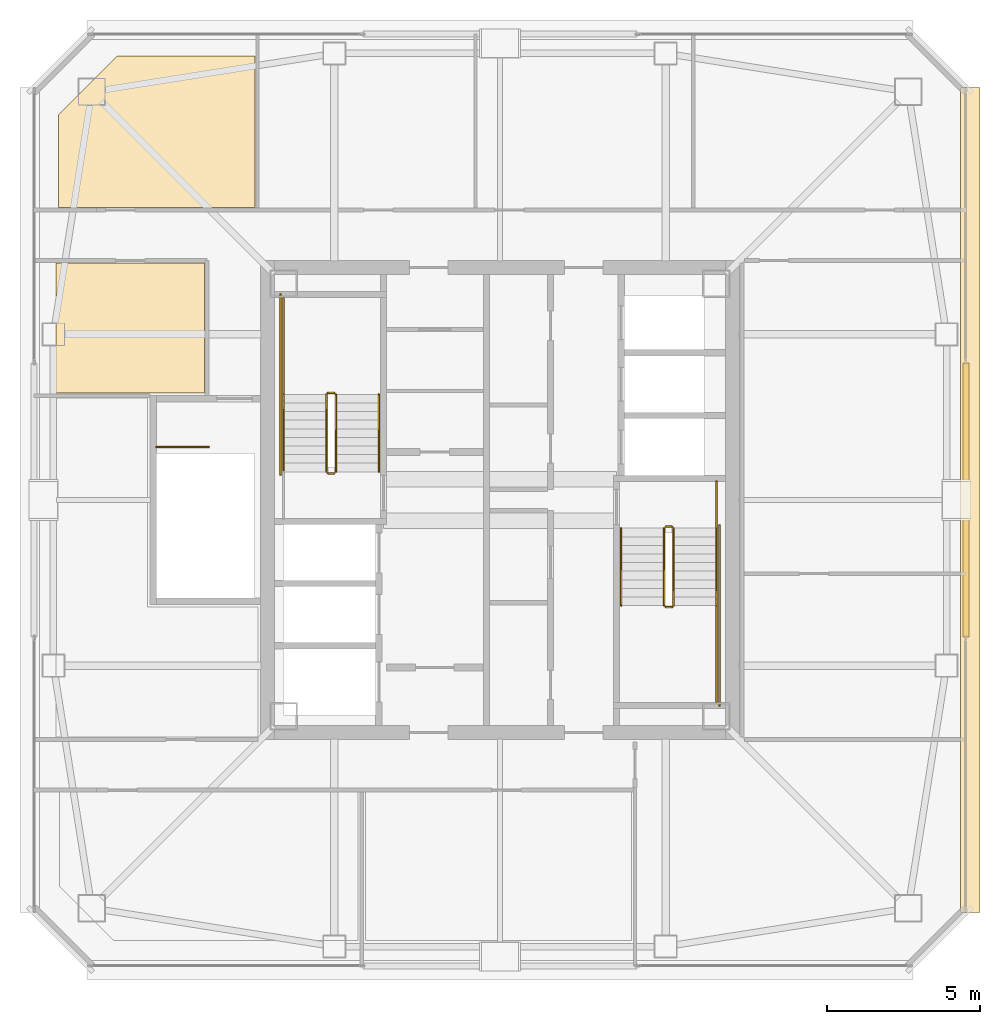
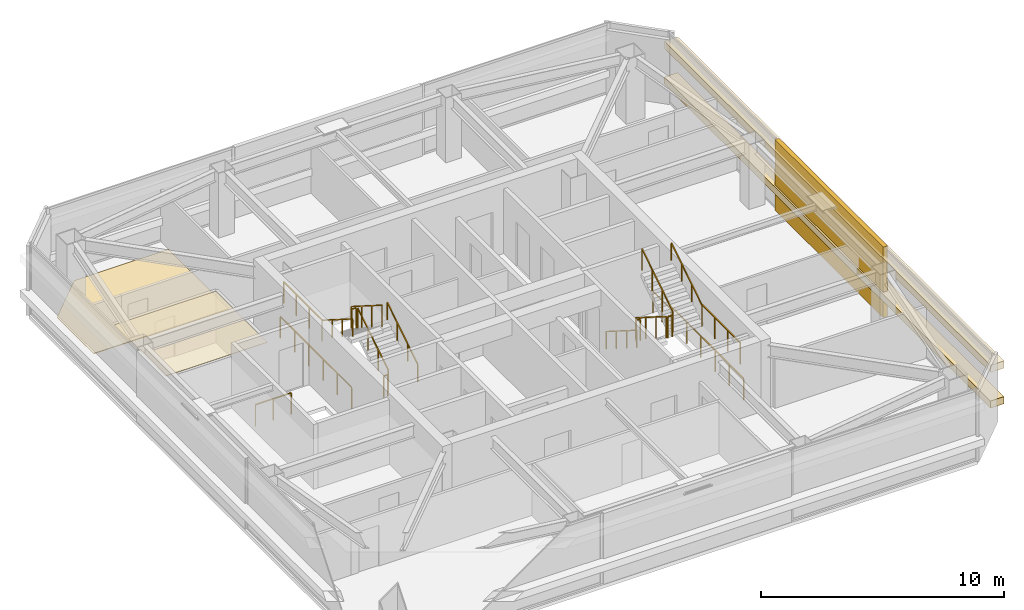
# One storey, part 17 of 18: 18 railings, 5 coverings.
"""IFC4 building model written with IfcOpenShell, lengths in metres."""

from ifc_helpers import new_model, si_unit, direction, frame, origin, origin_2d, place, context, subcontext, project, spatial, polyline, rectangle, outline, extrude, material, layer, layer_set, type_object, element, save


model = new_model("IFC4")

# Units and contexts
model_context = context("Model", 3, precision=1e-05, world=origin(), true_north=direction((0.0, 1.0)))
body_context = subcontext(model_context, "Body", "Model", "MODEL_VIEW")
ifc_project = project(units=[si_unit("LENGTHUNIT", "METRE"), si_unit("AREAUNIT", "SQUARE_METRE"), si_unit("VOLUMEUNIT", "CUBIC_METRE"), si_unit("PLANEANGLEUNIT", "RADIAN"), si_unit("MASSUNIT", "GRAM", prefix="KILO")], contexts=[model_context])

# Site, building, storey
site_placement = place(None, origin())
site = spatial("IfcSite", under=ifc_project, at=site_placement, CompositionType="ELEMENT")
building_placement = place(site_placement, origin())
building = spatial("IfcBuilding", under=site, at=building_placement, Name="Tashvorn Skyway Center", CompositionType="ELEMENT")
storey_placement = place(building_placement, frame((0.0, 0.0, 274.050048828125)))
storey = spatial("IfcBuildingStorey", under=building, at=storey_placement, Name="L74", CompositionType="ELEMENT", Elevation=274.050048828125)

# Coverings
ifc_material_1 = material(Name="Precast concrete C40/50", Category="concrete")
ifc_layer_1 = layer(ifc_material_1, 0.199951171875)
ifc_layer_set_1 = layer_set([ifc_layer_1], Name="Precast concrete C40/50")
covering_type_1 = type_object("IfcCoveringType", Name="COV-BRACE-CLAD", PredefinedType="CLADDING", material=ifc_layer_set_1)
covering_1_placement = place(storey_placement, frame((57.179931640625, 32.0, 0.0), z_axis=(0.0, 0.0, 1.0), x_axis=(0.0, -1.0, 0.0)))
element("IfcCovering", 1, at=covering_1_placement, inside=storey, type_object=covering_type_1, Name="Tower 1 L74 East Unitised Curtain Wall Mega-Brace Cladding Band 1", PredefinedType="CLADDING", context=body_context, shape_type="SweptSolid", body=[
    extrude(rectangle(XDim=8.919921875, YDim=0.199951171875, at=origin_2d()), origin(), (0.0, 0.0, 1.0), 3.550048828125),
])
ifc_material_2 = material(Name="Mineral-fibre acoustic ceiling tile on suspended grid")
ifc_layer_2 = layer(ifc_material_2, 0.02001953125)
ifc_layer_set_2 = layer_set([ifc_layer_2], Name="Mineral-fibre acoustic ceiling tile on suspended grid")
covering_type_2 = type_object("IfcCoveringType", Name="COV-CEIL-20", PredefinedType="CEILING", material=ifc_layer_set_2)
covering_2_placement = place(storey_placement, frame((0.0, 0.0, 2.5830078125)))
element("IfcCovering", 2, at=covering_2_placement, inside=storey, type_object=covering_type_2, Name="Tower 1 L74 Collaborative Studio Acoustic Ceiling", PredefinedType="CEILING", context=body_context, shape_type="SweptSolid", body=[
    extrude(outline(polyline([(32.3701171875, 39.719970703125), (32.3701171875, 35.47998046875), (27.530029296875, 35.47998046875), (27.530029296875, 39.719970703125), (32.3701171875, 39.719970703125)])), origin(), (0.0, 0.0, 1.0), 0.02001953125),
])
ifc_material_3 = material(Name="Polished Mojave desert-aggregate terrazzo and cover plate")
ifc_layer_3 = layer(ifc_material_3, 0.0400390625)
ifc_layer_set_3 = layer_set([ifc_layer_3], Name="Polished Mojave desert-aggregate terrazzo and cover plate")
covering_type_3 = type_object("IfcCoveringType", Name="COV-FLR-40", PredefinedType="FLOORING", material=ifc_layer_set_3)
covering_3_placement = place(storey_placement, origin())
element("IfcCovering", 3, at=covering_3_placement, inside=storey, type_object=covering_type_3, Name="Tower 1 L74 Gallery Showroom Finish Flooring", PredefinedType="FLOORING", context=body_context, shape_type="SweptSolid", body=[
    extrude(outline(polyline([(34.02001953125, 41.530029296875), (27.610107421875, 41.530029296875), (27.610107421875, 44.550048828125), (29.530029296875, 46.469970703125), (34.02001953125, 46.469970703125), (34.02001953125, 41.530029296875)])), origin(), (0.0, 0.0, 1.0), 0.0400390625),
])
ifc_material_4 = material(Name="Perforated ceramic-coated bronze aluminium solar screen", Category="aluminium")
ifc_layer_4 = layer(ifc_material_4, 0.85009765625)
ifc_layer_set_4 = layer_set([ifc_layer_4], Name="Perforated ceramic-coated bronze aluminium solar screen")
covering_type_4 = type_object("IfcCoveringType", Name="COV-SOLAR-BAND", PredefinedType="CLADDING", material=ifc_layer_set_4)
for number, where, z_axis, x_axis, name in (
    (4, (57.320068359375, 32.0, 0.919921875), (0.0, 0.0, 1.0), (0.0, -1.0, 0.0), "L74 Perforated Ceramic-Metal Solar Screen Louvre Band East 1"),
    (5, (57.320068359375, 32.0, 2.7197265625), (0.0, 0.0, 1.0), (0.0, -1.0, 0.0), "L74 Perforated Ceramic-Metal Solar Screen Louvre Band East 2"),
):
    element("IfcCovering", number, at=place(storey_placement, frame(where, z_axis=z_axis, x_axis=x_axis)), inside=storey, type_object=covering_type_4, Name=name, PredefinedType="CLADDING", context=body_context, shape_type="SweptSolid", body=[
        extrude(rectangle(XDim=26.8798828125, YDim=0.639892578125, at=origin_2d()), origin(), (0.0, 0.0, 1.0), 0.360107421875),
    ])

# Railings
ifc_material_5 = material(Name="Brushed stainless steel 316", Category="steel")
railing_type_1 = type_object("IfcRailingType", Name="RAIL-HAND-920", PredefinedType="HANDRAIL", material=ifc_material_5)
railing_1_placement = place(storey_placement, frame((38.050048828125, 32.919921875, 0.177490234375)))
element("IfcRailing", 6, at=railing_1_placement, inside=storey, type_object=railing_type_1, Name="L74 ST-T1-1 stair handrail 1", PredefinedType="HANDRAIL", context=body_context, shape_type="SweptSolid", body=[
    extrude(rectangle(XDim=0.048095703125, YDim=0.048095703125, at=origin_2d()), frame((0.0, 0.0, 0.8759765625), z_axis=(0.0, 0.84460694969, 0.535386869969), x_axis=(-1.0, 0.0, 0.0)), (0.0, 0.0, 1.0), 2.983642578125),
    extrude(rectangle(XDim=0.0419921875, YDim=0.0419921875, at=origin_2d()), origin(), (0.0, 0.0, 1.0), 0.851806640625),
    extrude(rectangle(XDim=0.0419921875, YDim=0.0419921875, at=origin_2d()), frame((0.0, 0.840087890625, 0.532470703125)), (0.0, 0.0, 1.0), 0.851806640625),
    extrude(rectangle(XDim=0.0419921875, YDim=0.0419921875, at=origin_2d()), frame((0.0, 1.679931640625, 1.06494140625)), (0.0, 0.0, 1.0), 0.851806640625),
    extrude(rectangle(XDim=0.0419921875, YDim=0.0419921875, at=origin_2d()), frame((0.0, 2.52001953125, 1.597412109375)), (0.0, 0.0, 1.0), 0.851806640625),
])
railing_2_placement = place(storey_placement, frame((34.949951171875, 35.43994140625, 1.952392578125)))
element("IfcRailing", 7, at=railing_2_placement, inside=storey, type_object=railing_type_1, Name="L74 ST-T1-1 stair handrail 2", PredefinedType="HANDRAIL", context=body_context, shape_type="SweptSolid", body=[
    extrude(rectangle(XDim=0.048095703125, YDim=0.048095703125, at=origin_2d()), frame((0.0, 0.0, 0.8759765625), z_axis=(0.0, -0.84456994832, 0.535445237532), x_axis=(1.0, 0.0, 0.0)), (0.0, 0.0, 1.0), 2.98388671875),
    extrude(rectangle(XDim=0.0419921875, YDim=0.0419921875, at=origin_2d()), origin(), (0.0, 0.0, 1.0), 0.851806640625),
    extrude(rectangle(XDim=0.0419921875, YDim=0.0419921875, at=origin_2d()), frame((0.0, -0.840087890625, 0.532470703125)), (0.0, 0.0, 1.0), 0.851806640625),
    extrude(rectangle(XDim=0.0419921875, YDim=0.0419921875, at=origin_2d()), frame((0.0, -1.679931640625, 1.065185546875)), (0.0, 0.0, 1.0), 0.851806640625),
    extrude(rectangle(XDim=0.0419921875, YDim=0.0419921875, at=origin_2d()), frame((0.0, -2.52001953125, 1.59765625)), (0.0, 0.0, 1.0), 0.851806640625),
])
railing_3_placement = place(storey_placement, frame((45.949951171875, 31.080078125, 0.177490234375)))
element("IfcRailing", 8, at=railing_3_placement, inside=storey, type_object=railing_type_1, Name="L74 ST-T1-2 stair handrail 1", PredefinedType="HANDRAIL", context=body_context, shape_type="SweptSolid", body=[
    extrude(rectangle(XDim=0.048095703125, YDim=0.048095703125, at=origin_2d()), frame((0.0, 0.0, 0.8759765625), z_axis=(0.0, -0.84460694969, 0.535386869969), x_axis=(1.0, 0.0, 0.0)), (0.0, 0.0, 1.0), 2.983642578125),
    extrude(rectangle(XDim=0.0419921875, YDim=0.0419921875, at=origin_2d()), origin(), (0.0, 0.0, 1.0), 0.851806640625),
    extrude(rectangle(XDim=0.0419921875, YDim=0.0419921875, at=origin_2d()), frame((0.0, -0.840087890625, 0.532470703125)), (0.0, 0.0, 1.0), 0.851806640625),
    extrude(rectangle(XDim=0.0419921875, YDim=0.0419921875, at=origin_2d()), frame((0.0, -1.679931640625, 1.06494140625)), (0.0, 0.0, 1.0), 0.851806640625),
    extrude(rectangle(XDim=0.0419921875, YDim=0.0419921875, at=origin_2d()), frame((0.0, -2.52001953125, 1.597412109375)), (0.0, 0.0, 1.0), 0.851806640625),
])
railing_4_placement = place(storey_placement, frame((49.050048828125, 28.56005859375, 1.952392578125)))
element("IfcRailing", 9, at=railing_4_placement, inside=storey, type_object=railing_type_1, Name="L74 ST-T1-2 stair handrail 2", PredefinedType="HANDRAIL", context=body_context, shape_type="SweptSolid", body=[
    extrude(rectangle(XDim=0.048095703125, YDim=0.048095703125, at=origin_2d()), frame((0.0, 0.0, 0.8759765625), z_axis=(0.0, 0.84456994832, 0.535445237532), x_axis=(-1.0, 0.0, 0.0)), (0.0, 0.0, 1.0), 2.98388671875),
    extrude(rectangle(XDim=0.0419921875, YDim=0.0419921875, at=origin_2d()), origin(), (0.0, 0.0, 1.0), 0.851806640625),
    extrude(rectangle(XDim=0.0419921875, YDim=0.0419921875, at=origin_2d()), frame((0.0, 0.840087890625, 0.532470703125)), (0.0, 0.0, 1.0), 0.851806640625),
    extrude(rectangle(XDim=0.0419921875, YDim=0.0419921875, at=origin_2d()), frame((0.0, 1.679931640625, 1.065185546875)), (0.0, 0.0, 1.0), 0.851806640625),
    extrude(rectangle(XDim=0.0419921875, YDim=0.0419921875, at=origin_2d()), frame((0.0, 2.52001953125, 1.59765625)), (0.0, 0.0, 1.0), 0.851806640625),
])
ifc_material_6 = material(Name="Painted galvanized steel S355", Category="steel")
railing_type_2 = type_object("IfcRailingType", Name="RAIL-STGUARD-1100", PredefinedType="GUARDRAIL", material=ifc_material_6)
railing_5_placement = place(storey_placement, frame((36.64990234375, 32.919921875, 0.177490234375)))
element("IfcRailing", 10, at=railing_5_placement, inside=storey, type_object=railing_type_2, Name="L74 ST-T1-1 stair guard 1", PredefinedType="GUARDRAIL", context=body_context, shape_type="SweptSolid", body=[
    extrude(rectangle(XDim=0.048095703125, YDim=0.048095703125, at=origin_2d()), frame((0.0, 0.0, 1.076171875), z_axis=(0.0, 0.84460694969, 0.535386869969), x_axis=(-1.0, 0.0, 0.0)), (0.0, 0.0, 1.0), 2.983642578125),
    extrude(rectangle(XDim=0.0419921875, YDim=0.0419921875, at=origin_2d()), origin(), (0.0, 0.0, 1.0), 1.052001953125),
    extrude(rectangle(XDim=0.0419921875, YDim=0.0419921875, at=origin_2d()), frame((0.0, 0.840087890625, 0.532470703125)), (0.0, 0.0, 1.0), 1.052001953125),
    extrude(rectangle(XDim=0.0419921875, YDim=0.0419921875, at=origin_2d()), frame((0.0, 1.679931640625, 1.06494140625)), (0.0, 0.0, 1.0), 1.052001953125),
    extrude(rectangle(XDim=0.0419921875, YDim=0.0419921875, at=origin_2d()), frame((0.0, 2.52001953125, 1.597412109375)), (0.0, 0.0, 1.0), 1.052001953125),
])
railing_6_placement = place(storey_placement, frame((36.60009765625, 35.489990234375, 1.77490234375)))
element("IfcRailing", 11, at=railing_6_placement, inside=storey, type_object=railing_type_2, Name="L74 ST-T1-1 stair guard 2", PredefinedType="GUARDRAIL", context=body_context, shape_type="SweptSolid", body=[
    extrude(rectangle(XDim=0.048095703125, YDim=0.048095703125, at=origin_2d()), frame((0.0, 0.0, 1.076171875), z_axis=(-1.0, 0.0, 0.0), x_axis=(0.0, -1.0, 0.0)), (0.0, 0.0, 1.0), 0.2001953125),
    extrude(rectangle(XDim=0.0419921875, YDim=0.0419921875, at=origin_2d()), origin(), (0.0, 0.0, 1.0), 1.052001953125),
    extrude(rectangle(XDim=0.0419921875, YDim=0.0419921875, at=origin_2d()), frame((-0.2001953125, 0.0, 0.0)), (0.0, 0.0, 1.0), 1.052001953125),
])
railing_7_placement = place(storey_placement, frame((34.949951171875, 35.43994140625, 1.77490234375)))
element("IfcRailing", 12, at=railing_7_placement, inside=storey, type_object=railing_type_2, Name="L74 ST-T1-1 stair guard 3", PredefinedType="GUARDRAIL", context=body_context, shape_type="SweptSolid", body=[
    extrude(rectangle(XDim=0.048095703125, YDim=0.048095703125, at=origin_2d()), frame((0.0, 0.0, 1.076171875), z_axis=(0.0, 1.0, 0.0), x_axis=(-1.0, 0.0, 0.0)), (0.0, 0.0, 1.0), 3.16015625),
    extrude(rectangle(XDim=0.0419921875, YDim=0.0419921875, at=origin_2d()), origin(), (0.0, 0.0, 1.0), 1.052001953125),
    extrude(rectangle(XDim=0.0419921875, YDim=0.0419921875, at=origin_2d()), frame((0.0, 1.053466796875, 0.0)), (0.0, 0.0, 1.0), 1.052001953125),
    extrude(rectangle(XDim=0.0419921875, YDim=0.0419921875, at=origin_2d()), frame((0.0, 2.106689453125, 0.0)), (0.0, 0.0, 1.0), 1.052001953125),
    extrude(rectangle(XDim=0.0419921875, YDim=0.0419921875, at=origin_2d()), frame((0.0, 3.16015625, 0.0)), (0.0, 0.0, 1.0), 1.052001953125),
])
railing_8_placement = place(storey_placement, frame((36.35009765625, 35.43994140625, 1.952392578125)))
element("IfcRailing", 13, at=railing_8_placement, inside=storey, type_object=railing_type_2, Name="L74 ST-T1-1 stair guard 4", PredefinedType="GUARDRAIL", context=body_context, shape_type="SweptSolid", body=[
    extrude(rectangle(XDim=0.048095703125, YDim=0.048095703125, at=origin_2d()), frame((0.0, 0.0, 1.076171875), z_axis=(0.0, -0.84456994832, 0.535445237532), x_axis=(1.0, 0.0, 0.0)), (0.0, 0.0, 1.0), 2.98388671875),
    extrude(rectangle(XDim=0.0419921875, YDim=0.0419921875, at=origin_2d()), origin(), (0.0, 0.0, 1.0), 1.052001953125),
    extrude(rectangle(XDim=0.0419921875, YDim=0.0419921875, at=origin_2d()), frame((0.0, -0.840087890625, 0.532470703125)), (0.0, 0.0, 1.0), 1.052001953125),
    extrude(rectangle(XDim=0.0419921875, YDim=0.0419921875, at=origin_2d()), frame((0.0, -1.679931640625, 1.065185546875)), (0.0, 0.0, 1.0), 1.052001953125),
    extrude(rectangle(XDim=0.0419921875, YDim=0.0419921875, at=origin_2d()), frame((0.0, -2.52001953125, 1.59765625)), (0.0, 0.0, 1.0), 1.052001953125),
])
railing_9_placement = place(storey_placement, frame((36.60009765625, 32.8701171875, 0.0)))
element("IfcRailing", 14, at=railing_9_placement, inside=storey, type_object=railing_type_2, Name="L74 ST-T1-1 stair guard 5", PredefinedType="GUARDRAIL", context=body_context, shape_type="SweptSolid", body=[
    extrude(rectangle(XDim=0.048095703125, YDim=0.048095703125, at=origin_2d()), frame((0.0, 0.0, 1.076171875), z_axis=(-1.0, 0.0, 0.0), x_axis=(0.0, -1.0, 0.0)), (0.0, 0.0, 1.0), 0.2001953125),
    extrude(rectangle(XDim=0.0419921875, YDim=0.0419921875, at=origin_2d()), origin(), (0.0, 0.0, 1.0), 1.052001953125),
    extrude(rectangle(XDim=0.0419921875, YDim=0.0419921875, at=origin_2d()), frame((-0.2001953125, 0.0, 0.0)), (0.0, 0.0, 1.0), 1.052001953125),
])
railing_10_placement = place(storey_placement, frame((34.85009765625, 32.820068359375, 0.0)))
element("IfcRailing", 15, at=railing_10_placement, inside=storey, type_object=railing_type_2, Name="L74 ST-T1-1 stair guard 7", PredefinedType="GUARDRAIL", context=body_context, shape_type="SweptSolid", body=[
    extrude(rectangle(XDim=0.048095703125, YDim=0.048095703125, at=origin_2d()), frame((0.0, 0.0, 1.076171875), z_axis=(0.0, 1.0, 0.0), x_axis=(-1.0, 0.0, 0.0)), (0.0, 0.0, 1.0), 5.8798828125),
    extrude(rectangle(XDim=0.0419921875, YDim=0.0419921875, at=origin_2d()), origin(), (0.0, 0.0, 1.0), 1.052001953125),
    extrude(rectangle(XDim=0.0419921875, YDim=0.0419921875, at=origin_2d()), frame((0.0, 1.176025390625, 0.0)), (0.0, 0.0, 1.0), 1.052001953125),
    extrude(rectangle(XDim=0.0419921875, YDim=0.0419921875, at=origin_2d()), frame((0.0, 2.35205078125, 0.0)), (0.0, 0.0, 1.0), 1.052001953125),
    extrude(rectangle(XDim=0.0419921875, YDim=0.0419921875, at=origin_2d()), frame((0.0, 3.52783203125, 0.0)), (0.0, 0.0, 1.0), 1.052001953125),
    extrude(rectangle(XDim=0.0419921875, YDim=0.0419921875, at=origin_2d()), frame((0.0, 4.703857421875, 0.0)), (0.0, 0.0, 1.0), 1.052001953125),
    extrude(rectangle(XDim=0.0419921875, YDim=0.0419921875, at=origin_2d()), frame((0.0, 5.8798828125, 0.0)), (0.0, 0.0, 1.0), 1.052001953125),
])
railing_11_placement = place(storey_placement, frame((47.35009765625, 31.080078125, 0.177490234375)))
element("IfcRailing", 16, at=railing_11_placement, inside=storey, type_object=railing_type_2, Name="L74 ST-T1-2 stair guard 1", PredefinedType="GUARDRAIL", context=body_context, shape_type="SweptSolid", body=[
    extrude(rectangle(XDim=0.048095703125, YDim=0.048095703125, at=origin_2d()), frame((0.0, 0.0, 1.076171875), z_axis=(0.0, -0.84460694969, 0.535386869969), x_axis=(1.0, 0.0, 0.0)), (0.0, 0.0, 1.0), 2.983642578125),
    extrude(rectangle(XDim=0.0419921875, YDim=0.0419921875, at=origin_2d()), origin(), (0.0, 0.0, 1.0), 1.052001953125),
    extrude(rectangle(XDim=0.0419921875, YDim=0.0419921875, at=origin_2d()), frame((0.0, -0.840087890625, 0.532470703125)), (0.0, 0.0, 1.0), 1.052001953125),
    extrude(rectangle(XDim=0.0419921875, YDim=0.0419921875, at=origin_2d()), frame((0.0, -1.679931640625, 1.06494140625)), (0.0, 0.0, 1.0), 1.052001953125),
    extrude(rectangle(XDim=0.0419921875, YDim=0.0419921875, at=origin_2d()), frame((0.0, -2.52001953125, 1.597412109375)), (0.0, 0.0, 1.0), 1.052001953125),
])
railing_12_placement = place(storey_placement, frame((47.39990234375, 28.510009765625, 1.77490234375)))
element("IfcRailing", 17, at=railing_12_placement, inside=storey, type_object=railing_type_2, Name="L74 ST-T1-2 stair guard 2", PredefinedType="GUARDRAIL", context=body_context, shape_type="SweptSolid", body=[
    extrude(rectangle(XDim=0.048095703125, YDim=0.048095703125, at=origin_2d()), frame((0.0, 0.0, 1.076171875), z_axis=(1.0, 0.0, 0.0), x_axis=(0.0, 1.0, 0.0)), (0.0, 0.0, 1.0), 0.2001953125),
    extrude(rectangle(XDim=0.0419921875, YDim=0.0419921875, at=origin_2d()), origin(), (0.0, 0.0, 1.0), 1.052001953125),
    extrude(rectangle(XDim=0.0419921875, YDim=0.0419921875, at=origin_2d()), frame((0.2001953125, 0.0, 0.0)), (0.0, 0.0, 1.0), 1.052001953125),
])
railing_13_placement = place(storey_placement, frame((49.050048828125, 28.56005859375, 1.77490234375)))
element("IfcRailing", 18, at=railing_13_placement, inside=storey, type_object=railing_type_2, Name="L74 ST-T1-2 stair guard 3", PredefinedType="GUARDRAIL", context=body_context, shape_type="SweptSolid", body=[
    extrude(rectangle(XDim=0.048095703125, YDim=0.048095703125, at=origin_2d()), frame((0.0, 0.0, 1.076171875), z_axis=(0.0, -1.0, 0.0), x_axis=(1.0, 0.0, 0.0)), (0.0, 0.0, 1.0), 3.16015625),
    extrude(rectangle(XDim=0.0419921875, YDim=0.0419921875, at=origin_2d()), origin(), (0.0, 0.0, 1.0), 1.052001953125),
    extrude(rectangle(XDim=0.0419921875, YDim=0.0419921875, at=origin_2d()), frame((0.0, -1.053466796875, 0.0)), (0.0, 0.0, 1.0), 1.052001953125),
    extrude(rectangle(XDim=0.0419921875, YDim=0.0419921875, at=origin_2d()), frame((0.0, -2.106689453125, 0.0)), (0.0, 0.0, 1.0), 1.052001953125),
    extrude(rectangle(XDim=0.0419921875, YDim=0.0419921875, at=origin_2d()), frame((0.0, -3.16015625, 0.0)), (0.0, 0.0, 1.0), 1.052001953125),
])
railing_14_placement = place(storey_placement, frame((47.64990234375, 28.56005859375, 1.952392578125)))
element("IfcRailing", 19, at=railing_14_placement, inside=storey, type_object=railing_type_2, Name="L74 ST-T1-2 stair guard 4", PredefinedType="GUARDRAIL", context=body_context, shape_type="SweptSolid", body=[
    extrude(rectangle(XDim=0.048095703125, YDim=0.048095703125, at=origin_2d()), frame((0.0, 0.0, 1.076171875), z_axis=(0.0, 0.84456994832, 0.535445237532), x_axis=(-1.0, 0.0, 0.0)), (0.0, 0.0, 1.0), 2.98388671875),
    extrude(rectangle(XDim=0.0419921875, YDim=0.0419921875, at=origin_2d()), origin(), (0.0, 0.0, 1.0), 1.052001953125),
    extrude(rectangle(XDim=0.0419921875, YDim=0.0419921875, at=origin_2d()), frame((0.0, 0.840087890625, 0.532470703125)), (0.0, 0.0, 1.0), 1.052001953125),
    extrude(rectangle(XDim=0.0419921875, YDim=0.0419921875, at=origin_2d()), frame((0.0, 1.679931640625, 1.065185546875)), (0.0, 0.0, 1.0), 1.052001953125),
    extrude(rectangle(XDim=0.0419921875, YDim=0.0419921875, at=origin_2d()), frame((0.0, 2.52001953125, 1.59765625)), (0.0, 0.0, 1.0), 1.052001953125),
])
railing_15_placement = place(storey_placement, frame((47.39990234375, 31.1298828125, 0.0)))
element("IfcRailing", 20, at=railing_15_placement, inside=storey, type_object=railing_type_2, Name="L74 ST-T1-2 stair guard 5", PredefinedType="GUARDRAIL", context=body_context, shape_type="SweptSolid", body=[
    extrude(rectangle(XDim=0.048095703125, YDim=0.048095703125, at=origin_2d()), frame((0.0, 0.0, 1.076171875), z_axis=(1.0, 0.0, 0.0), x_axis=(0.0, 1.0, 0.0)), (0.0, 0.0, 1.0), 0.2001953125),
    extrude(rectangle(XDim=0.0419921875, YDim=0.0419921875, at=origin_2d()), origin(), (0.0, 0.0, 1.0), 1.052001953125),
    extrude(rectangle(XDim=0.0419921875, YDim=0.0419921875, at=origin_2d()), frame((0.2001953125, 0.0, 0.0)), (0.0, 0.0, 1.0), 1.052001953125),
])
railing_16_placement = place(storey_placement, frame((49.050048828125, 32.60009765625, 0.0)))
element("IfcRailing", 21, at=railing_16_placement, inside=storey, type_object=railing_type_2, Name="L74 ST-T1-2 stair guard 6", PredefinedType="GUARDRAIL", context=body_context, shape_type="SweptSolid", body=[
    extrude(rectangle(XDim=0.048095703125, YDim=0.048095703125, at=origin_2d()), frame((0.0, 0.0, 1.076171875), z_axis=(0.0, -1.0, 0.0), x_axis=(1.0, 0.0, 0.0)), (0.0, 0.0, 1.0), 1.52001953125),
    extrude(rectangle(XDim=0.0419921875, YDim=0.0419921875, at=origin_2d()), origin(), (0.0, 0.0, 1.0), 1.052001953125),
    extrude(rectangle(XDim=0.0419921875, YDim=0.0419921875, at=origin_2d()), frame((0.0, -0.760009765625, 0.0)), (0.0, 0.0, 1.0), 1.052001953125),
    extrude(rectangle(XDim=0.0419921875, YDim=0.0419921875, at=origin_2d()), frame((0.0, -1.52001953125, 0.0)), (0.0, 0.0, 1.0), 1.052001953125),
])
railing_17_placement = place(storey_placement, frame((49.14990234375, 31.179931640625, 0.0)))
element("IfcRailing", 22, at=railing_17_placement, inside=storey, type_object=railing_type_2, Name="L74 ST-T1-2 stair guard 7", PredefinedType="GUARDRAIL", context=body_context, shape_type="SweptSolid", body=[
    extrude(rectangle(XDim=0.048095703125, YDim=0.048095703125, at=origin_2d()), frame((0.0, 0.0, 1.076171875), z_axis=(0.0, -1.0, 0.0), x_axis=(1.0, 0.0, 0.0)), (0.0, 0.0, 1.0), 5.8798828125),
    extrude(rectangle(XDim=0.0419921875, YDim=0.0419921875, at=origin_2d()), origin(), (0.0, 0.0, 1.0), 1.052001953125),
    extrude(rectangle(XDim=0.0419921875, YDim=0.0419921875, at=origin_2d()), frame((0.0, -1.176025390625, 0.0)), (0.0, 0.0, 1.0), 1.052001953125),
    extrude(rectangle(XDim=0.0419921875, YDim=0.0419921875, at=origin_2d()), frame((0.0, -2.35205078125, 0.0)), (0.0, 0.0, 1.0), 1.052001953125),
    extrude(rectangle(XDim=0.0419921875, YDim=0.0419921875, at=origin_2d()), frame((0.0, -3.52783203125, 0.0)), (0.0, 0.0, 1.0), 1.052001953125),
    extrude(rectangle(XDim=0.0419921875, YDim=0.0419921875, at=origin_2d()), frame((0.0, -4.703857421875, 0.0)), (0.0, 0.0, 1.0), 1.052001953125),
    extrude(rectangle(XDim=0.0419921875, YDim=0.0419921875, at=origin_2d()), frame((0.0, -5.8798828125, 0.0)), (0.0, 0.0, 1.0), 1.052001953125),
])
railing_18_placement = place(storey_placement, frame((30.800048828125, 33.72998046875, 0.0)))
element("IfcRailing", 23, at=railing_18_placement, inside=storey, type_object=railing_type_2, Name="L74 ST-T1-3 top well guard 1", PredefinedType="GUARDRAIL", context=body_context, shape_type="SweptSolid", body=[
    extrude(rectangle(XDim=0.048095703125, YDim=0.048095703125, at=origin_2d()), frame((0.0, 0.0, 1.076171875), z_axis=(1.0, 0.0, 0.0), x_axis=(0.0, 1.0, 0.0)), (0.0, 0.0, 1.0), 1.699951171875),
    extrude(rectangle(XDim=0.0419921875, YDim=0.0419921875, at=origin_2d()), origin(), (0.0, 0.0, 1.0), 1.052001953125),
    extrude(rectangle(XDim=0.0419921875, YDim=0.0419921875, at=origin_2d()), frame((0.85009765625, 0.0, 0.0)), (0.0, 0.0, 1.0), 1.052001953125),
    extrude(rectangle(XDim=0.0419921875, YDim=0.0419921875, at=origin_2d()), frame((1.699951171875, 0.0, 0.0)), (0.0, 0.0, 1.0), 1.052001953125),
])

save(model, "model.ifc")
